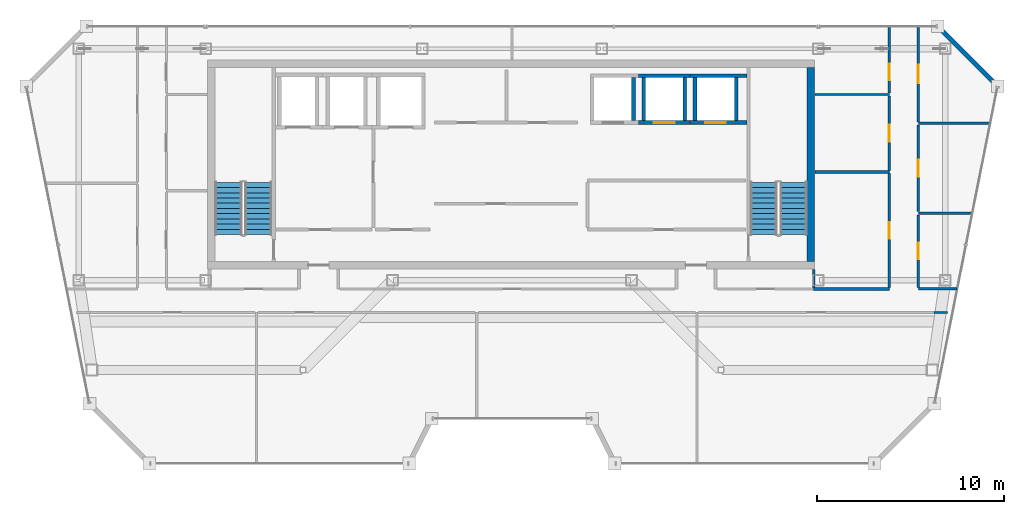
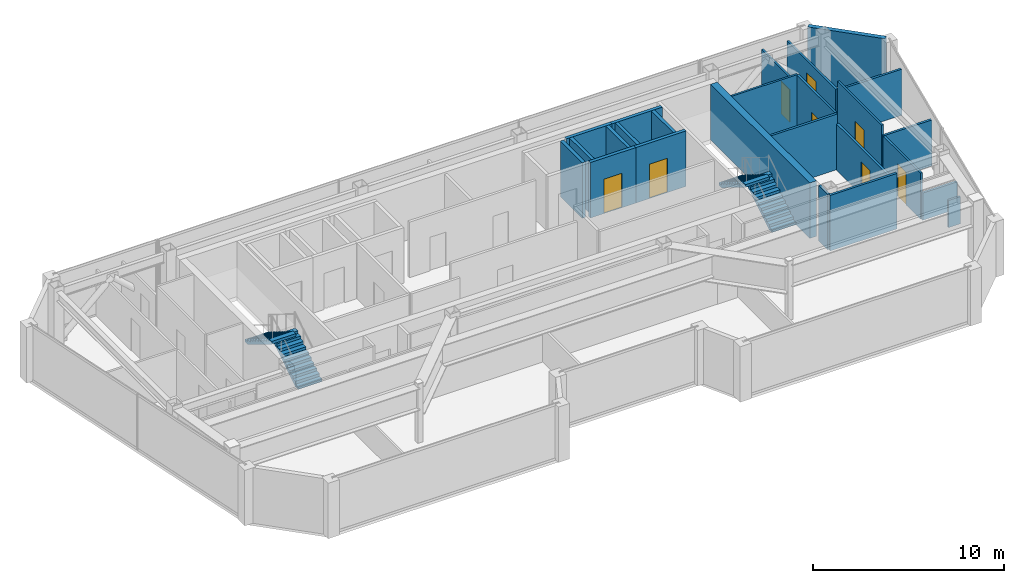
# One storey, part 21 of 24: 25 walls, 8 doors, 4 stair flights, 8 openings, 2 elements without a shape of their own.
"""IFC4 building model written with IfcOpenShell, lengths in metres."""

from ifc_helpers import new_model, si_unit, direction, frame, frame_2d, origin, place, context, subcontext, project, spatial, polyline, rectangle, outline, extrude, material, layer, layer_set, type_object, element, fill, aggregate, save


model = new_model("IFC4")

# Units and contexts
model_context = context("Model", 3, precision=1e-05, world=origin(), true_north=direction((0.0, 1.0)))
body_context = subcontext(model_context, "Body", "Model", "MODEL_VIEW")
ifc_project = project(units=[si_unit("LENGTHUNIT", "METRE"), si_unit("AREAUNIT", "SQUARE_METRE"), si_unit("VOLUMEUNIT", "CUBIC_METRE"), si_unit("PLANEANGLEUNIT", "RADIAN"), si_unit("MASSUNIT", "GRAM", prefix="KILO")], contexts=[model_context])

# Site, building, storey
site_placement = place(None, origin())
site = spatial("IfcSite", under=ifc_project, at=site_placement, CompositionType="ELEMENT")
building_placement = place(site_placement, origin())
building = spatial("IfcBuilding", under=site, at=building_placement, Name="Saevonmaru Cultural Tower", CompositionType="ELEMENT")
storey_placement = place(building_placement, frame((0.0, 0.0, 306.60009765625)))
storey = spatial("IfcBuildingStorey", under=building, at=storey_placement, Name="L73", CompositionType="ELEMENT", Elevation=306.60009765625)

# Walls
ifc_material_1 = material(Name="Concrete C50/60", Category="concrete")
ifc_layer_1 = layer(ifc_material_1, 0.39990234375, Name="Concrete C50/60")
ifc_layer_set_1 = layer_set([ifc_layer_1], Name="Concrete C50/60")
wall_type_1 = type_object("IfcWallType", Name="WL-CORE-400", PredefinedType="SHEAR", material=ifc_layer_set_1)
wall_1_placement = place(storey_placement, frame((46.0, 43.39990234375, 0.0), z_axis=(0.0, 0.0, 1.0), x_axis=(0.0, 1.0, 0.0)))
element("IfcWall", 1, at=wall_1_placement, inside=storey, type_object=wall_type_1, Name="L73 Tower RC core shear wall E", PredefinedType="SHEAR", context=body_context, shape_type="SweptSolid", body=[
    extrude(rectangle(XDim=10.400146484375, YDim=0.39990234375, at=frame_2d((5.2001953125, 0.0))), origin(), (0.0, 0.0, 1.0), 3.5498046875),
])
ifc_material_2 = material(Name="Granite-Clad Precast Concrete C40/50", Category="masonry")
ifc_layer_2 = layer(ifc_material_2, 0.260009765625, Name="Granite-Clad Precast Concrete C40/50")
ifc_layer_set_2 = layer_set([ifc_layer_2], Name="Granite-Clad Precast Concrete C40/50")
wall_type_2 = type_object("IfcWallType", Name="WL-EXT-SPANDREL-260", PredefinedType="STANDARD", material=ifc_layer_set_2)
wall_2_placement = place(storey_placement, frame((55.886962890625, 52.9130859375, 0.0), z_axis=(0.0, 0.0, 1.0), x_axis=(-0.707106781187, 0.707106781187, 0.0)))
element("IfcWall", 2, at=wall_2_placement, inside=storey, type_object=wall_type_2, Name="L73 Chamfer Corner Spandrel Wall E9", PredefinedType="STANDARD", context=body_context, shape_type="SweptSolid", body=[
    extrude(rectangle(XDim=4.205810546875, YDim=0.260009765625, at=frame_2d((2.10302734375, 0.0))), origin(), (0.0, 0.0, 1.0), 3.5498046875),
])
ifc_material_3 = material(Name="Gypsum Fireboard Partition", Category="gypsum")
ifc_layer_3 = layer(ifc_material_3, 0.1201171875, Name="Gypsum Fireboard Partition")
ifc_layer_set_3 = layer_set([ifc_layer_3], Name="Gypsum Fireboard Partition")
wall_type_3 = type_object("IfcWallType", Name="WL-PART-GYP-120", PredefinedType="PARTITIONING", material=ifc_layer_set_3)
wall_3_placement = place(storey_placement, frame((46.219970703125, 52.35009765625, 0.0), z_axis=(0.0, 0.0, 1.0), x_axis=(1.0, 0.0, 0.0)))
element("IfcWall", 3, at=wall_3_placement, inside=storey, type_object=wall_type_3, Name="L73 North-East Panorama South Wall", PredefinedType="PARTITIONING", context=body_context, shape_type="SweptSolid", body=[
    extrude(rectangle(XDim=3.97998046875, YDim=0.1201171875, at=frame_2d((1.989990234375, 0.0))), origin(), (0.0, 0.0, 1.0), 3.5498046875),
])

# Wall, opening, door
wall_4_placement = place(storey_placement, frame((50.199951171875, 48.2900390625, 0.0), z_axis=(0.0, 0.0, 1.0), x_axis=(0.0, 1.0, 0.0)))
wall_4 = element("IfcWall", 4, at=wall_4_placement, inside=storey, type_object=wall_type_3, Name="L73 Translation Research Office Corridor Wall", PredefinedType="PARTITIONING", context=body_context, shape_type="SweptSolid", body=[
    extrude(rectangle(XDim=3.97998046875, YDim=0.1201171875, at=frame_2d((1.989990234375, 0.0))), origin(), (0.0, 0.0, 1.0), 3.5498046875),
])
opening_1_placement = place(wall_4_placement, frame((1.5400390625, 0.0, 0.0)))
opening_1 = element("IfcOpeningElement", 5, at=opening_1_placement, cuts=wall_4, Name="Opening ID-2", PredefinedType="OPENING", context=body_context, shape_type="SweptSolid", body=[
    extrude(rectangle(XDim=0.89990234375, YDim=2.10009765625, at=frame_2d((0.449951171875, 1.050048828125))), frame((0.0, 0.070068359375, 0.0), z_axis=(0.0, -1.0, 0.0), x_axis=(1.0, 0.0, 0.0)), (0.0, 0.0, 1.0), 0.14013671875),
])
ifc_material_4 = material(Name="Acoustic Stained Oak Timber", Category="wood")
door_type_1 = type_object("IfcDoorType", Name="DR-INT-900", OperationType="SINGLE_SWING_RIGHT", PredefinedType="DOOR", material=ifc_material_4)
door_1_placement = place(opening_1_placement, origin())
door_1 = element("IfcDoor", 6, at=door_1_placement, inside=storey, type_object=door_type_1, Name="L73 Translation Research Office Door", OperationType="SINGLE_SWING_LEFT", OverallHeight=2.10009765625, OverallWidth=0.89990234375, PredefinedType="DOOR", context=body_context, shape_type="SweptSolid", body=[
    extrude(rectangle(XDim=0.89990234375, YDim=2.10009765625, at=frame_2d((0.449951171875, 1.050048828125))), frame((0.0, 0.02490234375, 0.0), z_axis=(0.0, -1.0, 0.0), x_axis=(1.0, 0.0, 0.0)), (0.0, 0.0, 1.0), 0.050048828125),
])
fill(opening_1, door_1)

wall_5_placement = place(storey_placement, frame((50.199951171875, 52.429931640625, 0.0), z_axis=(0.0, 0.0, 1.0), x_axis=(0.0, 1.0, 0.0)))
wall_5 = element("IfcWall", 7, at=wall_5_placement, inside=storey, type_object=wall_type_3, Name="L73 Architecture Residency Office Corridor Wall", PredefinedType="PARTITIONING", context=body_context, shape_type="SweptSolid", body=[
    extrude(rectangle(XDim=3.565185546875, YDim=0.1201171875, at=frame_2d((1.78271484375, 0.0))), origin(), (0.0, 0.0, 1.0), 2.934814453125),
])
opening_2_placement = place(wall_5_placement, frame((0.672119140625, 0.0, 0.0)))
opening_2 = element("IfcOpeningElement", 8, at=opening_2_placement, cuts=wall_5, Name="Opening ID-2", PredefinedType="OPENING", context=body_context, shape_type="SweptSolid", body=[
    extrude(rectangle(XDim=0.89990234375, YDim=2.10009765625, at=frame_2d((0.449951171875, 1.050048828125))), frame((0.0, 0.070068359375, 0.0), z_axis=(0.0, -1.0, 0.0), x_axis=(1.0, 0.0, 0.0)), (0.0, 0.0, 1.0), 0.14013671875),
])
door_2_placement = place(opening_2_placement, origin())
door_2 = element("IfcDoor", 9, at=door_2_placement, inside=storey, type_object=door_type_1, Name="L73 Architecture Residency Office Door", OperationType="SINGLE_SWING_RIGHT", OverallHeight=2.10009765625, OverallWidth=0.89990234375, PredefinedType="DOOR", context=body_context, shape_type="SweptSolid", body=[
    extrude(rectangle(XDim=0.89990234375, YDim=2.10009765625, at=frame_2d((0.449951171875, 1.050048828125))), frame((0.0, 0.02490234375, 0.0), z_axis=(0.0, -1.0, 0.0), x_axis=(1.0, 0.0, 0.0)), (0.0, 0.0, 1.0), 0.050048828125),
])
fill(opening_2, door_2)

wall_6_placement = place(storey_placement, frame((51.75, 42.027587890625, 0.0), z_axis=(0.0, 0.0, 1.0), x_axis=(0.0, 1.0, 0.0)))
wall_6 = element("IfcWall", 10, at=wall_6_placement, inside=storey, type_object=wall_type_3, Name="L73 Urban Design Meeting Room Corridor Wall", PredefinedType="PARTITIONING", context=body_context, shape_type="SweptSolid", body=[
    extrude(rectangle(XDim=3.885009765625, YDim=0.1201171875, at=frame_2d((1.9423828125, 0.0))), origin(), (0.0, 0.0, 1.0), 2.947021484375),
])
opening_3_placement = place(wall_6_placement, frame((1.491943359375, 0.0, 0.0)))
opening_3 = element("IfcOpeningElement", 11, at=opening_3_placement, cuts=wall_6, Name="Opening ID-2", PredefinedType="OPENING", context=body_context, shape_type="SweptSolid", body=[
    extrude(rectangle(XDim=0.89990234375, YDim=2.10009765625, at=frame_2d((0.449951171875, 1.050048828125))), frame((0.0, 0.070068359375, 0.0), z_axis=(0.0, -1.0, 0.0), x_axis=(1.0, 0.0, 0.0)), (0.0, 0.0, 1.0), 0.14013671875),
])
door_3_placement = place(opening_3_placement, origin())
door_3 = element("IfcDoor", 12, at=door_3_placement, inside=storey, type_object=door_type_1, Name="L73 Urban Design Meeting Room Door", OperationType="SINGLE_SWING_RIGHT", OverallHeight=2.10009765625, OverallWidth=0.89990234375, PredefinedType="DOOR", context=body_context, shape_type="SweptSolid", body=[
    extrude(rectangle(XDim=0.89990234375, YDim=2.10009765625, at=frame_2d((0.449951171875, 1.050048828125))), frame((0.0, 0.02490234375, 0.0), z_axis=(0.0, -1.0, 0.0), x_axis=(1.0, 0.0, 0.0)), (0.0, 0.0, 1.0), 0.050048828125),
])
fill(opening_3, door_3)

wall_7_placement = place(storey_placement, frame((51.75, 46.08740234375, 0.0), z_axis=(0.0, 0.0, 1.0), x_axis=(0.0, 1.0, 0.0)))
wall_7 = element("IfcWall", 13, at=wall_7_placement, inside=storey, type_object=wall_type_3, Name="L73 Printmaking Workshop Classroom Corridor Wall", PredefinedType="PARTITIONING", context=body_context, shape_type="SweptSolid", body=[
    extrude(rectangle(XDim=4.625, YDim=0.1201171875, at=frame_2d((2.3125, 0.0))), origin(), (0.0, 0.0, 1.0), 3.5498046875),
])
opening_4_placement = place(wall_7_placement, frame((1.863037109375, 0.0, 0.0)))
opening_4 = element("IfcOpeningElement", 14, at=opening_4_placement, cuts=wall_7, Name="Opening ID-2", PredefinedType="OPENING", context=body_context, shape_type="SweptSolid", body=[
    extrude(rectangle(XDim=0.89990234375, YDim=2.10009765625, at=frame_2d((0.449951171875, 1.050048828125))), frame((0.0, 0.070068359375, 0.0), z_axis=(0.0, -1.0, 0.0), x_axis=(1.0, 0.0, 0.0)), (0.0, 0.0, 1.0), 0.14013671875),
])
door_4_placement = place(opening_4_placement, origin())
door_4 = element("IfcDoor", 15, at=door_4_placement, inside=storey, type_object=door_type_1, Name="L73 Printmaking Workshop Classroom Door", OperationType="SINGLE_SWING_LEFT", OverallHeight=2.10009765625, OverallWidth=0.89990234375, PredefinedType="DOOR", context=body_context, shape_type="SweptSolid", body=[
    extrude(rectangle(XDim=0.89990234375, YDim=2.10009765625, at=frame_2d((0.449951171875, 1.050048828125))), frame((0.0, 0.02490234375, 0.0), z_axis=(0.0, -1.0, 0.0), x_axis=(1.0, 0.0, 0.0)), (0.0, 0.0, 1.0), 0.050048828125),
])
fill(opening_4, door_4)

wall_8_placement = place(storey_placement, frame((51.75, 50.887451171875, 0.0), z_axis=(0.0, 0.0, 1.0), x_axis=(0.0, 1.0, 0.0)))
wall_8 = element("IfcWall", 16, at=wall_8_placement, inside=storey, type_object=wall_type_3, Name="L73 Botanical Tea Bistro Corridor Wall", PredefinedType="PARTITIONING", context=body_context, shape_type="SweptSolid", body=[
    extrude(rectangle(XDim=5.107666015625, YDim=0.1201171875, at=frame_2d((2.5537109375, 0.0))), origin(), (0.0, 0.0, 1.0), 2.934814453125),
])
opening_5_placement = place(wall_8_placement, frame((2.053955078125, 0.0, 0.0)))
opening_5 = element("IfcOpeningElement", 17, at=opening_5_placement, cuts=wall_8, Name="Opening ID-1B", PredefinedType="OPENING", context=body_context, shape_type="SweptSolid", body=[
    extrude(rectangle(XDim=1.0, YDim=2.14990234375, at=frame_2d((0.5, 1.074951171875))), frame((0.0, 0.070068359375, 0.0), z_axis=(0.0, -1.0, 0.0), x_axis=(1.0, 0.0, 0.0)), (0.0, 0.0, 1.0), 0.14013671875),
])
door_type_2 = type_object("IfcDoorType", Name="DR-INT-1000", OperationType="SINGLE_SWING_RIGHT", PredefinedType="DOOR", material=ifc_material_4)
door_5_placement = place(opening_5_placement, origin())
door_5 = element("IfcDoor", 18, at=door_5_placement, inside=storey, type_object=door_type_2, Name="L73 Botanical Tea Bistro Door", OperationType="SINGLE_SWING_RIGHT", OverallHeight=2.14990234375, OverallWidth=1.0, PredefinedType="DOOR", context=body_context, shape_type="SweptSolid", body=[
    extrude(rectangle(XDim=1.0, YDim=2.14990234375, at=frame_2d((0.5, 1.074951171875))), frame((0.0, 0.02490234375, 0.0), z_axis=(0.0, -1.0, 0.0), x_axis=(1.0, 0.0, 0.0)), (0.0, 0.0, 1.0), 0.050048828125),
])
fill(opening_5, door_5)

# Walls
wall_9_placement = place(storey_placement, frame((52.58740234375, 40.679931640625, 0.0), z_axis=(0.0, 0.0, 1.0), x_axis=(1.0, 0.0, 0.0)))
element("IfcWall", 19, at=wall_9_placement, inside=storey, type_object=wall_type_3, Name="L73 Urban Design Meeting Room Corridor Wall (2)", PredefinedType="PARTITIONING", context=body_context, shape_type="SweptSolid", body=[
    extrude(rectangle(XDim=0.7177734375, YDim=0.1201171875, at=frame_2d((0.35888671875, 0.0))), origin(), (0.0, 0.0, 1.0), 1.73486328125),
])
ifc_layer_4 = layer(ifc_material_3, 0.135009765625, Name="Gypsum Fireboard Partition")
ifc_layer_set_4 = layer_set([ifc_layer_4], Name="Gypsum Fireboard Partition")
wall_type_4 = type_object("IfcWallType", Name="WL-PART-GYP-135", PredefinedType="PARTITIONING", material=ifc_layer_set_4)
wall_10_placement = place(storey_placement, frame((51.75, 41.93994140625, 0.0), z_axis=(0.0, 0.0, 1.0), x_axis=(1.0, 0.0, 0.0)))
element("IfcWall", 20, at=wall_10_placement, inside=storey, type_object=wall_type_4, Name="L73 NE Wing South Wall", PredefinedType="PARTITIONING", context=body_context, shape_type="SweptSolid", body=[
    extrude(rectangle(XDim=2.085693359375, YDim=0.135009765625, at=frame_2d((1.04296875, 0.0))), origin(), (0.0, 0.0, 1.0), 1.73486328125),
])
wall_11_placement = place(storey_placement, frame((51.75, 46.0, 0.0), z_axis=(0.0, 0.0, 1.0), x_axis=(1.0, 0.0, 0.0)))
element("IfcWall", 21, at=wall_11_placement, inside=storey, type_object=wall_type_4, Name="L73 NE Studio Divider 1", PredefinedType="PARTITIONING", context=body_context, shape_type="SweptSolid", body=[
    extrude(rectangle(XDim=2.892822265625, YDim=0.135009765625, at=frame_2d((1.4462890625, 0.0))), origin(), (0.0, 0.0, 1.0), 2.947021484375),
])
wall_12_placement = place(storey_placement, frame((51.75, 50.800048828125, 0.0), z_axis=(0.0, 0.0, 1.0), x_axis=(1.0, 0.0, 0.0)))
element("IfcWall", 22, at=wall_12_placement, inside=storey, type_object=wall_type_4, Name="L73 NE Studio Divider 2", PredefinedType="PARTITIONING", context=body_context, shape_type="SweptSolid", body=[
    extrude(rectangle(XDim=3.847412109375, YDim=0.135009765625, at=frame_2d((1.923828125, 0.0))), origin(), (0.0, 0.0, 1.0), 2.947021484375),
])
ifc_layer_5 = layer(ifc_material_3, 0.139892578125, Name="Gypsum Fireboard Partition")
ifc_layer_set_5 = layer_set([ifc_layer_5], Name="Gypsum Fireboard Partition")
wall_type_5 = type_object("IfcWallType", Name="WL-PART-WET-140", PredefinedType="PARTITIONING", material=ifc_layer_set_5)
wall_13_placement = place(storey_placement, frame((46.14990234375, 41.93994140625, 0.0), z_axis=(0.0, 0.0, 1.0), x_axis=(1.0, 0.0, 0.0)))
element("IfcWall", 23, at=wall_13_placement, inside=storey, type_object=wall_type_5, Name="L73 Washroom South Wall", PredefinedType="PARTITIONING", context=body_context, shape_type="SweptSolid", body=[
    extrude(rectangle(XDim=4.050048828125, YDim=0.139892578125, at=frame_2d((2.02490234375, 0.0))), origin(), (0.0, 0.0, 1.0), 3.5498046875),
])
wall_14_placement = place(storey_placement, frame((46.14990234375, 42.030029296875, 0.0), z_axis=(0.0, 0.0, 1.0), x_axis=(0.0, 1.0, 0.0)))
element("IfcWall", 24, at=wall_14_placement, inside=storey, type_object=wall_type_5, Name="L73 Washroom South-West Return", PredefinedType="PARTITIONING", context=body_context, shape_type="SweptSolid", body=[
    extrude(rectangle(XDim=0.949951171875, YDim=0.139892578125, at=frame_2d((0.47509765625, 0.0))), origin(), (0.0, 0.0, 1.0), 3.5498046875),
])
wall_15_placement = place(storey_placement, frame((46.219970703125, 48.199951171875, 0.0), z_axis=(0.0, 0.0, 1.0), x_axis=(1.0, 0.0, 0.0)))
element("IfcWall", 25, at=wall_15_placement, inside=storey, type_object=wall_type_5, Name="L73 Washroom North Wall", PredefinedType="PARTITIONING", context=body_context, shape_type="SweptSolid", body=[
    extrude(rectangle(XDim=3.97998046875, YDim=0.139892578125, at=frame_2d((1.989990234375, 0.0))), origin(), (0.0, 0.0, 1.0), 3.5498046875),
])

# Wall, opening, door
wall_16_placement = place(storey_placement, frame((50.199951171875, 42.030029296875, 0.0), z_axis=(0.0, 0.0, 1.0), x_axis=(0.0, 1.0, 0.0)))
wall_16 = element("IfcWall", 26, at=wall_16_placement, inside=storey, type_object=wall_type_5, Name="L73 Washroom Corridor Wall", PredefinedType="PARTITIONING", context=body_context, shape_type="SweptSolid", body=[
    extrude(rectangle(XDim=6.080078125, YDim=0.139892578125, at=frame_2d((3.0400390625, 0.0))), origin(), (0.0, 0.0, 1.0), 2.947021484375),
])
opening_6_placement = place(wall_16_placement, frame((2.590087890625, 0.0, 0.0)))
opening_6 = element("IfcOpeningElement", 27, at=opening_6_placement, cuts=wall_16, Name="Opening ID-2", PredefinedType="OPENING", context=body_context, shape_type="SweptSolid", body=[
    extrude(rectangle(XDim=0.89990234375, YDim=2.10009765625, at=frame_2d((0.449951171875, 1.050048828125))), frame((0.0, 0.080078125, 0.0), z_axis=(0.0, -1.0, 0.0), x_axis=(1.0, 0.0, 0.0)), (0.0, 0.0, 1.0), 0.159912109375),
])
door_6_placement = place(opening_6_placement, origin())
door_6 = element("IfcDoor", 28, at=door_6_placement, inside=storey, type_object=door_type_1, Name="L73 Public Accessible Washrooms Door", OperationType="SINGLE_SWING_RIGHT", OverallHeight=2.10009765625, OverallWidth=0.89990234375, PredefinedType="DOOR", context=body_context, shape_type="SweptSolid", body=[
    extrude(rectangle(XDim=0.89990234375, YDim=2.10009765625, at=frame_2d((0.449951171875, 1.050048828125))), frame((0.0, 0.02490234375, 0.0), z_axis=(0.0, -1.0, 0.0), x_axis=(1.0, 0.0, 0.0)), (0.0, 0.0, 1.0), 0.050048828125),
])
fill(opening_6, door_6)

# Wall
ifc_material_5 = material(Name="Concrete C40/50", Category="concrete")
ifc_layer_6 = layer(ifc_material_5, 0.199951171875, Name="Concrete C40/50")
ifc_layer_set_6 = layer_set([ifc_layer_6], Name="Concrete C40/50")
wall_type_6 = type_object("IfcWallType", Name="WL-SHAFT-200", PredefinedType="SHEAR", material=ifc_layer_set_6)
wall_17_placement = place(storey_placement, frame((36.5, 50.949951171875, 0.0), z_axis=(0.0, 0.0, 1.0), x_axis=(0.0, 1.0, 0.0)))
element("IfcWall", 29, at=wall_17_placement, inside=storey, type_object=wall_type_6, Name="L73 Lift PL-H1 Hoistway Wall E", PredefinedType="SHEAR", context=body_context, shape_type="SweptSolid", body=[
    extrude(rectangle(XDim=2.300048828125, YDim=0.199951171875, at=frame_2d((1.14990234375, 0.0))), origin(), (0.0, 0.0, 1.0), 3.5498046875),
])

# Wall, opening, door
wall_18_placement = place(storey_placement, frame((36.77490234375, 50.85009765625, 0.0), z_axis=(0.0, 0.0, 1.0), x_axis=(1.0, 0.0, 0.0)))
wall_18 = element("IfcWall", 30, at=wall_18_placement, inside=storey, type_object=wall_type_6, Name="L73 Lift PL-H2 Hoistway Wall S", PredefinedType="SHEAR", context=body_context, shape_type="SweptSolid", body=[
    extrude(rectangle(XDim=2.75, YDim=0.199951171875, at=frame_2d((1.375, 0.0))), origin(), (0.0, 0.0, 1.0), 3.5498046875),
])
opening_7_placement = place(wall_18_placement, frame((0.824951171875, 0.0, 0.0)))
opening_7 = element("IfcOpeningElement", 31, at=opening_7_placement, cuts=wall_18, Name="Opening LD-1", PredefinedType="OPENING", context=body_context, shape_type="SweptSolid", body=[
    extrude(rectangle(XDim=1.10009765625, YDim=2.199951171875, at=frame_2d((0.550048828125, 1.10009765625))), frame((0.0, 0.10986328125, 0.0), z_axis=(0.0, -1.0, 0.0), x_axis=(1.0, 0.0, 0.0)), (0.0, 0.0, 1.0), 0.219970703125),
])
ifc_material_6 = material(Name="Satin Bronze Stainless Steel", Category="steel")
door_type_3 = type_object("IfcDoorType", Name="DR-LIFT-1100", OperationType="SLIDING_TO_LEFT", PredefinedType="DOOR", material=ifc_material_6)
door_7_placement = place(opening_7_placement, origin())
door_7 = element("IfcDoor", 32, at=door_7_placement, inside=storey, type_object=door_type_3, Name="L73 Lift PL-H2 Sliding Landing Door", OperationType="SLIDING_TO_LEFT", OverallHeight=2.199951171875, OverallWidth=1.10009765625, PredefinedType="DOOR", context=body_context, shape_type="SweptSolid", body=[
    extrude(rectangle(XDim=1.10009765625, YDim=2.199951171875, at=frame_2d((0.550048828125, 1.10009765625))), frame((0.0, 0.02490234375, 0.0), z_axis=(0.0, -1.0, 0.0), x_axis=(1.0, 0.0, 0.0)), (0.0, 0.0, 1.0), 0.050048828125),
])
fill(opening_7, door_7)

# Walls
wall_19_placement = place(storey_placement, frame((36.77490234375, 53.35009765625, 0.0), z_axis=(0.0, 0.0, 1.0), x_axis=(1.0, 0.0, 0.0)))
element("IfcWall", 33, at=wall_19_placement, inside=storey, type_object=wall_type_6, Name="L73 Lift PL-H2 Hoistway Wall N", PredefinedType="SHEAR", context=body_context, shape_type="SweptSolid", body=[
    extrude(rectangle(XDim=2.75, YDim=0.199951171875, at=frame_2d((1.375, 0.0))), origin(), (0.0, 0.0, 1.0), 3.5498046875),
])
for number, where, z_axis, x_axis, name in (
    (34, (37.050048828125, 50.949951171875, 0.0), (0.0, 0.0, 1.0), (0.0, 1.0, 0.0), "L73 Lift PL-H2 Hoistway Wall W"),
    (35, (39.25, 50.949951171875, 0.0), (0.0, 0.0, 1.0), (0.0, 1.0, 0.0), "L73 Lift PL-H2 Hoistway Wall E"),
):
    element("IfcWall", number, at=place(storey_placement, frame(where, z_axis=z_axis, x_axis=x_axis)), inside=storey, type_object=wall_type_6, Name=name, PredefinedType="SHEAR", context=body_context, shape_type="SweptSolid", body=[
        extrude(rectangle(XDim=2.300048828125, YDim=0.199951171875, at=frame_2d((1.14990234375, 0.0))), origin(), (0.0, 0.0, 1.0), 3.5498046875),
    ])

# Wall, opening, door
wall_20_placement = place(storey_placement, frame((39.52490234375, 50.85009765625, 0.0), z_axis=(0.0, 0.0, 1.0), x_axis=(1.0, 0.0, 0.0)))
wall_20 = element("IfcWall", 36, at=wall_20_placement, inside=storey, type_object=wall_type_6, Name="L73 Lift PL-H3 Hoistway Wall S", PredefinedType="SHEAR", context=body_context, shape_type="SweptSolid", body=[
    extrude(rectangle(XDim=3.045166015625, YDim=0.199951171875, at=frame_2d((1.5224609375, 0.0))), origin(), (0.0, 0.0, 1.0), 3.5498046875),
])
opening_8_placement = place(wall_20_placement, frame((0.824951171875, 0.0, 0.0)))
opening_8 = element("IfcOpeningElement", 37, at=opening_8_placement, cuts=wall_20, Name="Opening LD-1", PredefinedType="OPENING", context=body_context, shape_type="SweptSolid", body=[
    extrude(rectangle(XDim=1.10009765625, YDim=2.199951171875, at=frame_2d((0.550048828125, 1.10009765625))), frame((0.0, 0.10986328125, 0.0), z_axis=(0.0, -1.0, 0.0), x_axis=(1.0, 0.0, 0.0)), (0.0, 0.0, 1.0), 0.219970703125),
])
door_8_placement = place(opening_8_placement, origin())
door_8 = element("IfcDoor", 38, at=door_8_placement, inside=storey, type_object=door_type_3, Name="L73 Lift PL-H3 Sliding Landing Door", OperationType="SLIDING_TO_LEFT", OverallHeight=2.199951171875, OverallWidth=1.10009765625, PredefinedType="DOOR", context=body_context, shape_type="SweptSolid", body=[
    extrude(rectangle(XDim=1.10009765625, YDim=2.199951171875, at=frame_2d((0.550048828125, 1.10009765625))), frame((0.0, 0.02490234375, 0.0), z_axis=(0.0, -1.0, 0.0), x_axis=(1.0, 0.0, 0.0)), (0.0, 0.0, 1.0), 0.050048828125),
])
fill(opening_8, door_8)

# Walls
wall_21_placement = place(storey_placement, frame((39.52490234375, 53.35009765625, 0.0), z_axis=(0.0, 0.0, 1.0), x_axis=(1.0, 0.0, 0.0)))
element("IfcWall", 39, at=wall_21_placement, inside=storey, type_object=wall_type_6, Name="L73 Lift PL-H3 Hoistway Wall N", PredefinedType="SHEAR", context=body_context, shape_type="SweptSolid", body=[
    extrude(rectangle(XDim=3.045166015625, YDim=0.199951171875, at=frame_2d((1.5224609375, 0.0))), origin(), (0.0, 0.0, 1.0), 3.5498046875),
])
for number, where, z_axis, x_axis, name in (
    (40, (39.800048828125, 50.949951171875, 0.0), (0.0, 0.0, 1.0), (0.0, 1.0, 0.0), "L73 Lift PL-H3 Hoistway Wall W"),
    (41, (42.0, 50.949951171875, 0.0), (0.0, 0.0, 1.0), (0.0, 1.0, 0.0), "L73 Lift PL-H3 Hoistway Wall E"),
):
    element("IfcWall", number, at=place(storey_placement, frame(where, z_axis=z_axis, x_axis=x_axis)), inside=storey, type_object=wall_type_6, Name=name, PredefinedType="SHEAR", context=body_context, shape_type="SweptSolid", body=[
        extrude(rectangle(XDim=2.300048828125, YDim=0.199951171875, at=frame_2d((1.14990234375, 0.0))), origin(), (0.0, 0.0, 1.0), 3.5498046875),
    ])

# Stair, stair flights
stair_type = type_object("IfcStairType", Name="STR-DOGLEG-RC", PredefinedType="HALF_TURN_STAIR", material=ifc_material_5)
stair_1_placement = place(storey_placement, origin())
stair_1 = element("IfcStair", 42, at=stair_1_placement, inside=storey, type_object=stair_type, Name="L73 Protected exit stair ST-1", PredefinedType="HALF_TURN_STAIR")
ifc_material_7 = material(Name="Precast concrete C40/50", Category="concrete")
stair_flight_type = type_object("IfcStairFlightType", Name="STF-PRECAST-180", PredefinedType="STRAIGHT", material=ifc_material_7)
stair_flight_1_placement = place(storey_placement, frame((16.425048828125, 44.85009765625, 0.0), z_axis=(0.0, 0.0, 1.0), x_axis=(0.0, 1.0, 0.0)))
stair_flight_1 = element("IfcStairFlight", 43, at=stair_flight_1_placement, type_object=stair_flight_type, Name="ST-1-L73 flight 1", NumberOfRisers=11, NumberOfTreads=10, PredefinedType="STRAIGHT", RiserHeight=0.172727273, TreadLength=0.28, context=body_context, shape_type="SweptSolid", body=[
    extrude(outline(polyline([(0.0, 0.0), (0.0, 0.172607421875), (0.280029296875, 0.172607421875), (0.280029296875, 0.345458984375), (0.56005859375, 0.345458984375), (0.56005859375, 0.51806640625), (0.840087890625, 0.51806640625), (0.840087890625, 0.69091796875), (1.1201171875, 0.69091796875), (1.1201171875, 0.863525390625), (1.39990234375, 0.863525390625), (1.39990234375, 1.036376953125), (1.679931640625, 1.036376953125), (1.679931640625, 1.208984375), (1.9599609375, 1.208984375), (1.9599609375, 1.3818359375), (2.239990234375, 1.3818359375), (2.239990234375, 1.554443359375), (2.52001953125, 1.554443359375), (2.52001953125, 1.727294921875), (2.800048828125, 1.727294921875), (2.800048828125, 1.89990234375), (2.800048828125, 1.551025390625), (0.285400390625, 0.0), (0.0, 0.0)])), frame((0.0, 0.72509765625, 0.0), z_axis=(0.0, -1.0, 0.0), x_axis=(1.0, 0.0, 0.0)), (0.0, 0.0, 1.0), 1.449951171875),
])
stair_flight_2_placement = place(storey_placement, frame((14.824951171875, 47.64990234375, 1.89990234375), z_axis=(0.0, 0.0, 1.0), x_axis=(0.0, -1.0, 0.0)))
stair_flight_2 = element("IfcStairFlight", 44, at=stair_flight_2_placement, type_object=stair_flight_type, Name="ST-1-L73 flight 2", NumberOfRisers=11, NumberOfTreads=10, PredefinedType="STRAIGHT", RiserHeight=0.172727273, TreadLength=0.28, context=body_context, shape_type="SweptSolid", body=[
    extrude(outline(polyline([(0.0, 0.0), (0.0, 0.172607421875), (0.280029296875, 0.172607421875), (0.280029296875, 0.345458984375), (0.56005859375, 0.345458984375), (0.56005859375, 0.51806640625), (0.840087890625, 0.51806640625), (0.840087890625, 0.69091796875), (1.1201171875, 0.69091796875), (1.1201171875, 0.863525390625), (1.39990234375, 0.863525390625), (1.39990234375, 1.036376953125), (1.679931640625, 1.036376953125), (1.679931640625, 1.208984375), (1.9599609375, 1.208984375), (1.9599609375, 1.3818359375), (2.239990234375, 1.3818359375), (2.239990234375, 1.554443359375), (2.52001953125, 1.554443359375), (2.52001953125, 1.727294921875), (2.800048828125, 1.727294921875), (2.800048828125, 1.89990234375), (2.800048828125, 1.551025390625), (0.285400390625, 0.0), (0.0, 0.0)])), frame((0.0, 0.72509765625, 0.0), z_axis=(0.0, -1.0, 0.0), x_axis=(1.0, 0.0, 0.0)), (0.0, 0.0, 1.0), 1.449951171875),
])
aggregate(stair_1, [stair_flight_1, stair_flight_2])

stair_2_placement = place(storey_placement, origin())
stair_2 = element("IfcStair", 45, at=stair_2_placement, inside=storey, type_object=stair_type, Name="L73 Protected exit stair ST-2", PredefinedType="HALF_TURN_STAIR")
stair_flight_3_placement = place(storey_placement, frame((45.074951171875, 44.85009765625, 0.0), z_axis=(0.0, 0.0, 1.0), x_axis=(0.0, 1.0, 0.0)))
stair_flight_3 = element("IfcStairFlight", 46, at=stair_flight_3_placement, type_object=stair_flight_type, Name="ST-2-L73 flight 1", NumberOfRisers=11, NumberOfTreads=10, PredefinedType="STRAIGHT", RiserHeight=0.172727273, TreadLength=0.28, context=body_context, shape_type="SweptSolid", body=[
    extrude(outline(polyline([(0.0, 0.0), (0.0, 0.172607421875), (0.280029296875, 0.172607421875), (0.280029296875, 0.345458984375), (0.56005859375, 0.345458984375), (0.56005859375, 0.51806640625), (0.840087890625, 0.51806640625), (0.840087890625, 0.69091796875), (1.1201171875, 0.69091796875), (1.1201171875, 0.863525390625), (1.39990234375, 0.863525390625), (1.39990234375, 1.036376953125), (1.679931640625, 1.036376953125), (1.679931640625, 1.208984375), (1.9599609375, 1.208984375), (1.9599609375, 1.3818359375), (2.239990234375, 1.3818359375), (2.239990234375, 1.554443359375), (2.52001953125, 1.554443359375), (2.52001953125, 1.727294921875), (2.800048828125, 1.727294921875), (2.800048828125, 1.89990234375), (2.800048828125, 1.551025390625), (0.285400390625, 0.0), (0.0, 0.0)])), frame((0.0, 0.72509765625, 0.0), z_axis=(0.0, -1.0, 0.0), x_axis=(1.0, 0.0, 0.0)), (0.0, 0.0, 1.0), 1.449951171875),
])
stair_flight_4_placement = place(storey_placement, frame((43.47509765625, 47.64990234375, 1.89990234375), z_axis=(0.0, 0.0, 1.0), x_axis=(0.0, -1.0, 0.0)))
stair_flight_4 = element("IfcStairFlight", 47, at=stair_flight_4_placement, type_object=stair_flight_type, Name="ST-2-L73 flight 2", NumberOfRisers=11, NumberOfTreads=10, PredefinedType="STRAIGHT", RiserHeight=0.172727273, TreadLength=0.28, context=body_context, shape_type="SweptSolid", body=[
    extrude(outline(polyline([(0.0, 0.0), (0.0, 0.172607421875), (0.280029296875, 0.172607421875), (0.280029296875, 0.345458984375), (0.56005859375, 0.345458984375), (0.56005859375, 0.51806640625), (0.840087890625, 0.51806640625), (0.840087890625, 0.69091796875), (1.1201171875, 0.69091796875), (1.1201171875, 0.863525390625), (1.39990234375, 0.863525390625), (1.39990234375, 1.036376953125), (1.679931640625, 1.036376953125), (1.679931640625, 1.208984375), (1.9599609375, 1.208984375), (1.9599609375, 1.3818359375), (2.239990234375, 1.3818359375), (2.239990234375, 1.554443359375), (2.52001953125, 1.554443359375), (2.52001953125, 1.727294921875), (2.800048828125, 1.727294921875), (2.800048828125, 1.89990234375), (2.800048828125, 1.551025390625), (0.285400390625, 0.0), (0.0, 0.0)])), frame((0.0, 0.72509765625, 0.0), z_axis=(0.0, -1.0, 0.0), x_axis=(1.0, 0.0, 0.0)), (0.0, 0.0, 1.0), 1.449951171875),
])
aggregate(stair_2, [stair_flight_3, stair_flight_4])

save(model, "model.ifc")
